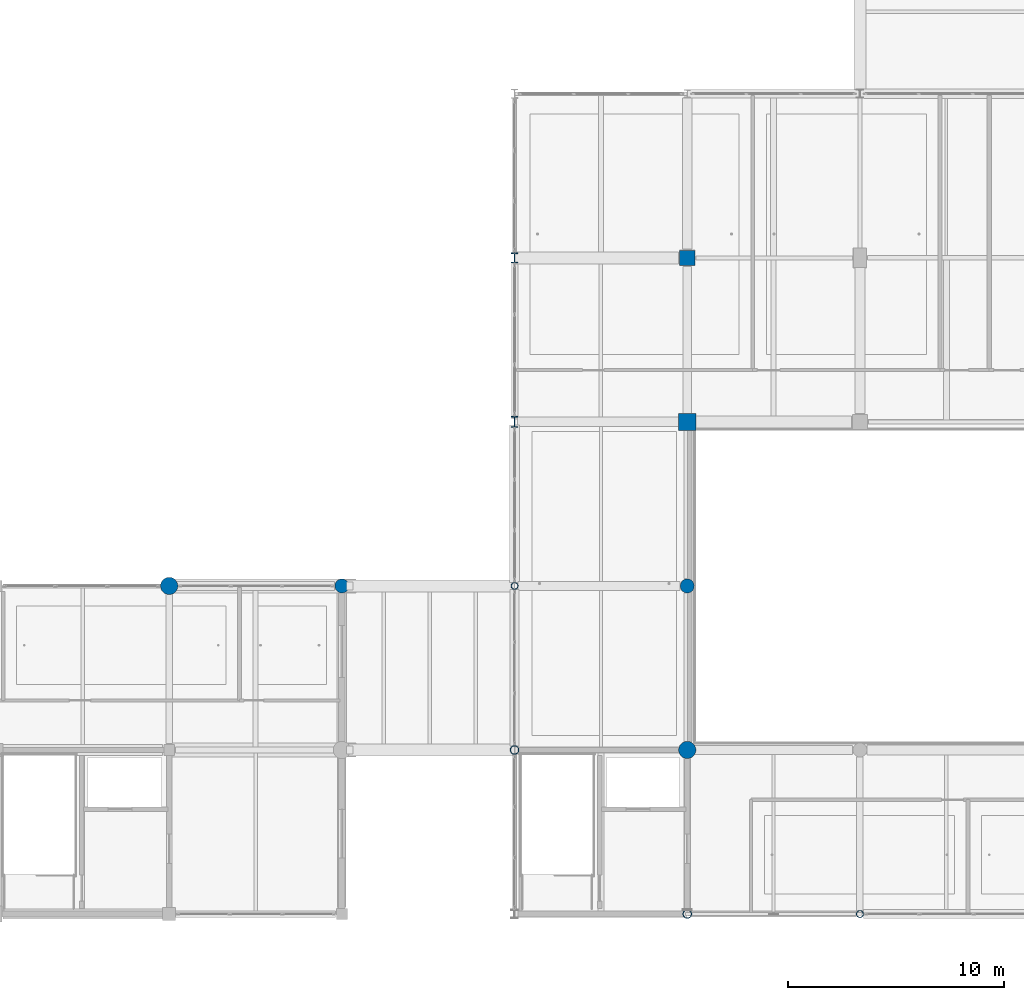
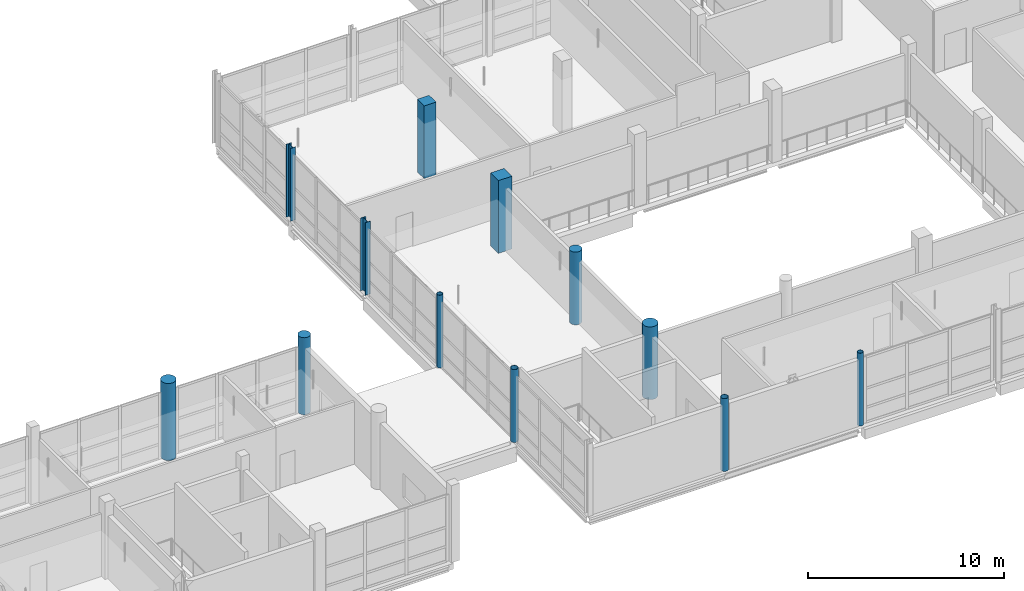
# One storey, part 5 of 107: 12 columns.
"""IFC4 building model written with IfcOpenShell, lengths in metres."""

from ifc_helpers import new_model, si_unit, direction, frame, origin, origin_2d, place, context, subcontext, project, spatial, rectangle, circle, hollow_circle, i_section, extrude, material, material_profile, profile_set, type_object, element, save


model = new_model("IFC4")

# Units and contexts
model_context = context("Model", 3, precision=1e-05, world=origin(), true_north=direction((0.0, 1.0)))
body_context = subcontext(model_context, "Body", "Model", "MODEL_VIEW")
ifc_project = project(units=[si_unit("LENGTHUNIT", "METRE"), si_unit("AREAUNIT", "SQUARE_METRE"), si_unit("VOLUMEUNIT", "CUBIC_METRE"), si_unit("PLANEANGLEUNIT", "RADIAN"), si_unit("MASSUNIT", "GRAM", prefix="KILO")], contexts=[model_context])

# Site, building, storey
site_placement = place(None, origin())
site = spatial("IfcSite", under=ifc_project, at=site_placement, CompositionType="ELEMENT")
building_placement = place(site_placement, origin())
building = spatial("IfcBuilding", under=site, at=building_placement, Name="Khelvaren Railside Concert Hall", CompositionType="ELEMENT")
storey_placement = place(building_placement, frame((0.0, 0.0, 15.0)))
storey = spatial("IfcBuildingStorey", under=building, at=storey_placement, Name="L03", CompositionType="ELEMENT", Elevation=15.0)

# Columns
ifc_material_1 = material(Name="Concrete C45/55", Category="concrete")
ifc_material_profile_1 = material_profile(ifc_material_1, circle(Radius=0.39990234375, at=origin_2d()), Name="RC D800")
ifc_profile_set_1 = profile_set([ifc_material_profile_1], Name="Concrete C45/55")
column_type_1 = type_object("IfcColumnType", Name="COL14", PredefinedType="COLUMN", material=ifc_profile_set_1)
column_1_placement = place(storey_placement, frame((152.0, 7.60009765625, 0.0), z_axis=(0.0, 0.0, 1.0), x_axis=(1.0, 0.0, 0.0)))
element("IfcColumn", 1, at=column_1_placement, inside=storey, type_object=column_type_1, Name="V2 L03 Column (152.0,7.6)", PredefinedType="COLUMN", context=body_context, shape_type="SweptSolid", body=[
    extrude(circle(Radius=0.39990234375, at=origin_2d()), origin(), (0.0, 0.0, 1.0), 4.530029296875),
])
ifc_material_2 = material(Name="Steel S355", Category="steel")
ifc_material_profile_2 = material_profile(ifc_material_2, i_section(OverallWidth=0.300048828125, OverallDepth=0.5, WebThickness=0.014404296875, FlangeThickness=0.028076171875, FilletRadius=0.027099609375, at=origin_2d()), Name="HEB 500")
ifc_profile_set_2 = profile_set([ifc_material_profile_2], Name="Steel S355")
column_type_2 = type_object("IfcColumnType", Name="COL15", PredefinedType="COLUMN", material=ifc_profile_set_2)
column_2_placement = place(storey_placement, frame((144.0, 22.800048828125, 0.0), z_axis=(0.0, 0.0, 1.0), x_axis=(1.0, 0.0, 0.0)))
element("IfcColumn", 2, at=column_2_placement, inside=storey, type_object=column_type_2, Name="V2 L03 Column (144.0,22.8)", PredefinedType="COLUMN", context=body_context, shape_type="SweptSolid", body=[
    extrude(i_section(OverallWidth=0.300048828125, OverallDepth=0.5, WebThickness=0.014404296875, FlangeThickness=0.028076171875, FilletRadius=0.027099609375, at=origin_2d()), origin(), (0.0, 0.0, 1.0), 4.530029296875),
])
ifc_material_profile_3 = material_profile(ifc_material_1, rectangle(XDim=0.800048828125, YDim=0.800048828125, at=origin_2d()), Name="RC 800x800")
ifc_profile_set_3 = profile_set([ifc_material_profile_3], Name="Concrete C45/55")
column_type_3 = type_object("IfcColumnType", Name="COL20", PredefinedType="COLUMN", material=ifc_profile_set_3)
column_3_placement = place(storey_placement, frame((152.0, 22.800048828125, 0.0), z_axis=(0.0, 0.0, 1.0), x_axis=(1.0, 0.0, 0.0)))
element("IfcColumn", 3, at=column_3_placement, inside=storey, type_object=column_type_3, Name="V2 L03 Column (152.0,22.8)", PredefinedType="COLUMN", context=body_context, shape_type="SweptSolid", body=[
    extrude(rectangle(XDim=0.800048828125, YDim=0.800048828125, at=origin_2d()), origin(), (0.0, 0.0, 1.0), 4.530029296875),
])
ifc_material_profile_4 = material_profile(ifc_material_1, circle(Radius=0.39990234375, at=origin_2d()), Name="RC D800")
ifc_profile_set_4 = profile_set([ifc_material_profile_4], Name="Concrete C45/55")
column_type_4 = type_object("IfcColumnType", Name="COL22", PredefinedType="COLUMN", material=ifc_profile_set_4)
column_4_placement = place(storey_placement, frame((128.0, 15.199951171875, 0.0), z_axis=(0.0, 0.0, 1.0), x_axis=(1.0, 0.0, 0.0)))
element("IfcColumn", 4, at=column_4_placement, inside=storey, type_object=column_type_4, Name="V3 L03 Column (128.0,15.2)", PredefinedType="COLUMN", context=body_context, shape_type="SweptSolid", body=[
    extrude(circle(Radius=0.39990234375, at=origin_2d()), origin(), (0.0, 0.0, 1.0), 4.800048828125),
])
ifc_material_profile_5 = material_profile(ifc_material_2, hollow_circle(Radius=0.203125, WallThickness=0.02001953125, at=origin_2d()), Name="CHS 406.4x20")
ifc_profile_set_5 = profile_set([ifc_material_profile_5], Name="Steel S355")
column_type_5 = type_object("IfcColumnType", Name="COL27", PredefinedType="COLUMN", material=ifc_profile_set_5)
for number, where, z_axis, x_axis, name in (
    (5, (144.0, 7.60009765625, 0.0), (0.0, 0.0, 1.0), (1.0, 0.0, 0.0), "V2 L03 Column (144.0,7.6)"),
    (6, (152.0, 0.0, 0.0), (0.0, 0.0, 1.0), (1.0, 0.0, 0.0), "V2 L03 Column (152.0,0.0)"),
):
    element("IfcColumn", number, at=place(storey_placement, frame(where, z_axis=z_axis, x_axis=x_axis)), inside=storey, type_object=column_type_5, Name=name, PredefinedType="COLUMN", context=body_context, shape_type="SweptSolid", body=[
        extrude(hollow_circle(Radius=0.203125, WallThickness=0.02001953125, at=origin_2d()), origin(), (0.0, 0.0, 1.0), 4.530029296875),
    ])
ifc_material_profile_6 = material_profile(ifc_material_2, hollow_circle(Radius=0.161865234375, WallThickness=0.01611328125, at=origin_2d()), Name="CHS 323.9x16")
ifc_profile_set_6 = profile_set([ifc_material_profile_6], Name="Steel S355")
column_type_6 = type_object("IfcColumnType", Name="COL47", PredefinedType="COLUMN", material=ifc_profile_set_6)
for number, where, z_axis, x_axis, name in (
    (7, (144.0, 15.199951171875, 0.0), (0.0, 0.0, 1.0), (1.0, 0.0, 0.0), "V2 L03 Column (144.0,15.2)"),
    (8, (160.0, 0.0, 0.0), (0.0, 0.0, 1.0), (1.0, 0.0, 0.0), "V2 L03 Column (160.0,0.0)"),
):
    element("IfcColumn", number, at=place(storey_placement, frame(where, z_axis=z_axis, x_axis=x_axis)), inside=storey, type_object=column_type_6, Name=name, PredefinedType="COLUMN", context=body_context, shape_type="SweptSolid", body=[
        extrude(hollow_circle(Radius=0.161865234375, WallThickness=0.01611328125, at=origin_2d()), origin(), (0.0, 0.0, 1.0), 4.530029296875),
    ])
ifc_material_profile_7 = material_profile(ifc_material_1, circle(Radius=0.324951171875, at=origin_2d()), Name="RC D650")
ifc_profile_set_7 = profile_set([ifc_material_profile_7], Name="Concrete C45/55")
column_type_7 = type_object("IfcColumnType", Name="COL53", PredefinedType="COLUMN", material=ifc_profile_set_7)
column_5_placement = place(storey_placement, frame((136.0, 15.199951171875, 0.0), z_axis=(0.0, 0.0, 1.0), x_axis=(1.0, 0.0, 0.0)))
element("IfcColumn", 9, at=column_5_placement, inside=storey, type_object=column_type_7, Name="V3 L03 Column (136.0,15.2)", PredefinedType="COLUMN", context=body_context, shape_type="SweptSolid", body=[
    extrude(circle(Radius=0.324951171875, at=origin_2d()), origin(), (0.0, 0.0, 1.0), 4.800048828125),
])
ifc_material_profile_8 = material_profile(ifc_material_1, rectangle(XDim=0.699951171875, YDim=0.699951171875, at=origin_2d()), Name="RC 700x700")
ifc_profile_set_8 = profile_set([ifc_material_profile_8], Name="Concrete C45/55")
column_type_8 = type_object("IfcColumnType", Name="COL74", PredefinedType="COLUMN", material=ifc_profile_set_8)
column_6_placement = place(storey_placement, frame((152.0, 30.39990234375, 0.0), z_axis=(0.0, 0.0, 1.0), x_axis=(1.0, 0.0, 0.0)))
element("IfcColumn", 10, at=column_6_placement, inside=storey, type_object=column_type_8, Name="V2 L03 Column (152.0,30.4)", PredefinedType="COLUMN", context=body_context, shape_type="SweptSolid", body=[
    extrude(rectangle(XDim=0.699951171875, YDim=0.699951171875, at=origin_2d()), origin(), (0.0, 0.0, 1.0), 4.530029296875),
])
ifc_material_profile_9 = material_profile(ifc_material_2, i_section(OverallWidth=0.300048828125, OverallDepth=0.449951171875, WebThickness=0.013916015625, FlangeThickness=0.02587890625, FilletRadius=0.027099609375, at=origin_2d()), Name="HEB 450")
ifc_profile_set_9 = profile_set([ifc_material_profile_9], Name="Steel S355")
column_type_9 = type_object("IfcColumnType", Name="COL77", PredefinedType="COLUMN", material=ifc_profile_set_9)
column_7_placement = place(storey_placement, frame((144.0, 30.39990234375, 0.0), z_axis=(0.0, 0.0, 1.0), x_axis=(1.0, 0.0, 0.0)))
element("IfcColumn", 11, at=column_7_placement, inside=storey, type_object=column_type_9, Name="V2 L03 Column (144.0,30.4)", PredefinedType="COLUMN", context=body_context, shape_type="SweptSolid", body=[
    extrude(i_section(OverallWidth=0.300048828125, OverallDepth=0.449951171875, WebThickness=0.013916015625, FlangeThickness=0.02587890625, FilletRadius=0.027099609375, at=origin_2d()), origin(), (0.0, 0.0, 1.0), 4.530029296875),
])
ifc_material_profile_10 = material_profile(ifc_material_1, circle(Radius=0.324951171875, at=origin_2d()), Name="RC D650")
ifc_profile_set_10 = profile_set([ifc_material_profile_10], Name="Concrete C45/55")
column_type_10 = type_object("IfcColumnType", Name="COL94", PredefinedType="COLUMN", material=ifc_profile_set_10)
column_8_placement = place(storey_placement, frame((152.0, 15.199951171875, 0.0), z_axis=(0.0, 0.0, 1.0), x_axis=(1.0, 0.0, 0.0)))
element("IfcColumn", 12, at=column_8_placement, inside=storey, type_object=column_type_10, Name="V2 L03 Column (152.0,15.2)", PredefinedType="COLUMN", context=body_context, shape_type="SweptSolid", body=[
    extrude(circle(Radius=0.324951171875, at=origin_2d()), origin(), (0.0, 0.0, 1.0), 4.530029296875),
])

save(model, "model.ifc")
